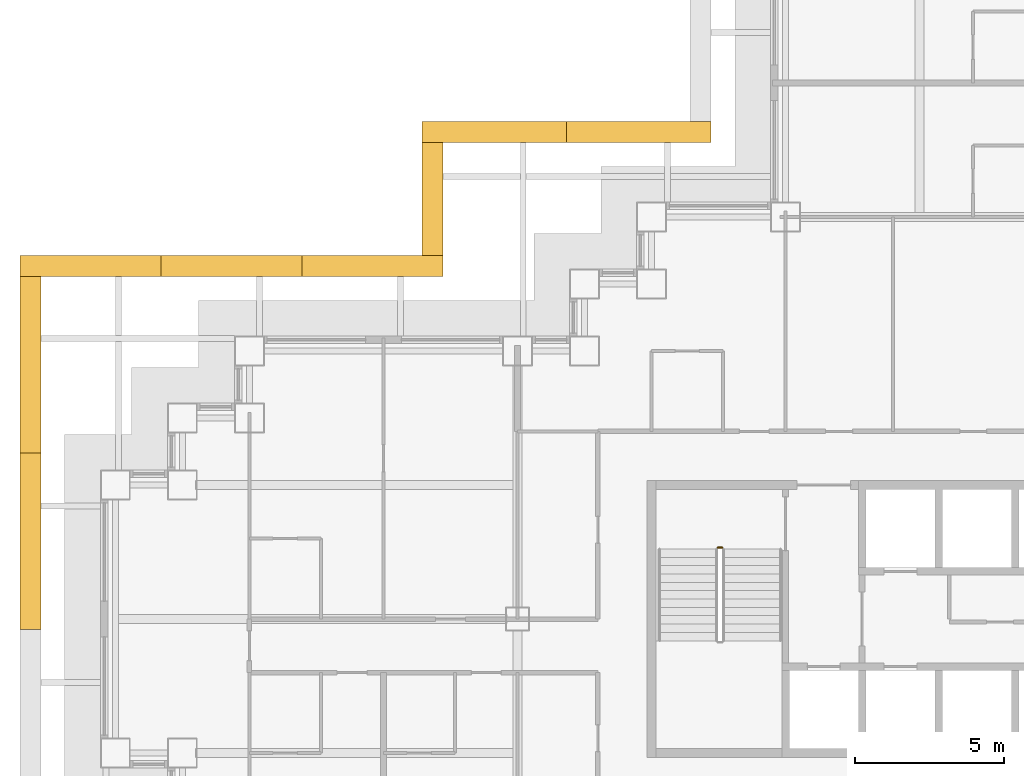
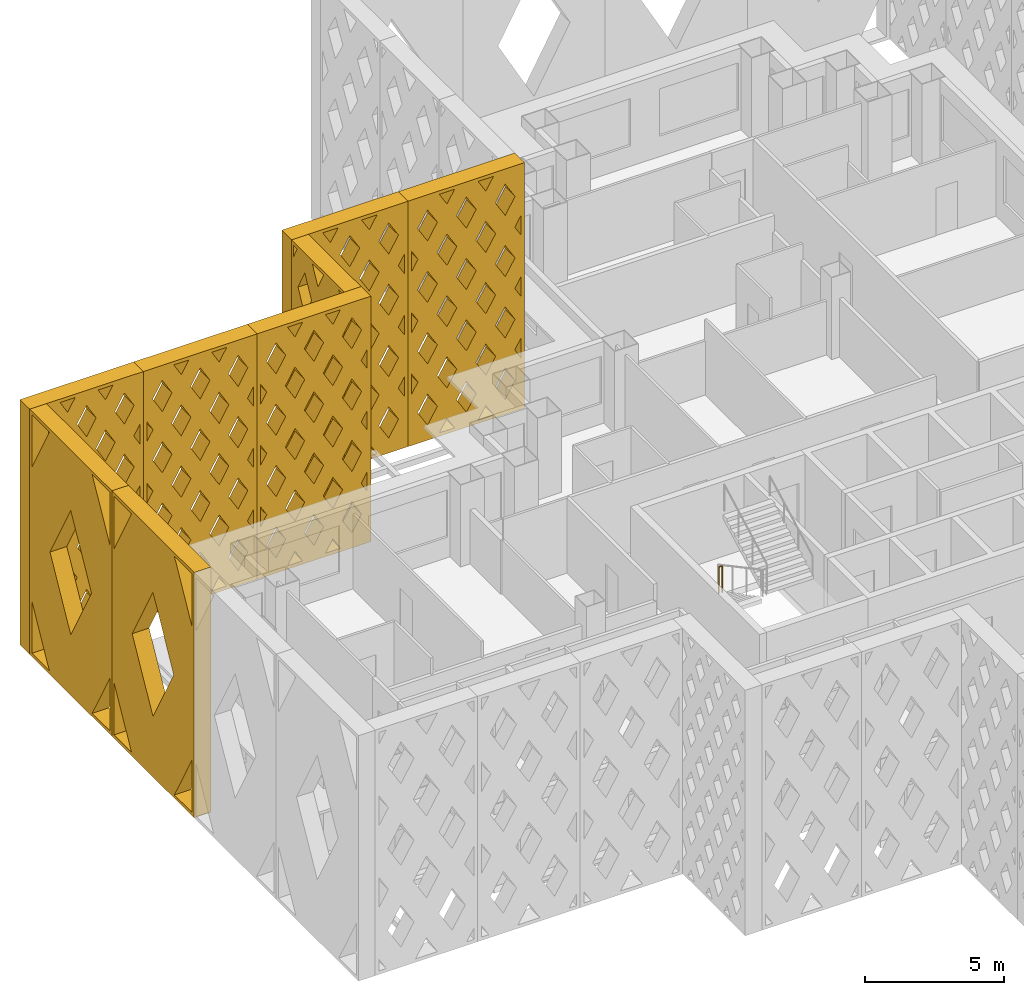
# One storey, part 17 of 19: 8 shading devices, 1 railing.
"""IFC4 building model written with IfcOpenShell, lengths in metres."""

from ifc_helpers import new_model, si_unit, direction, frame, origin, origin_2d, place, context, subcontext, project, spatial, polyline, circle, outline, extrude, material, type_object, element, save


model = new_model("IFC4")

# Units and contexts
model_context = context("Model", 3, precision=1e-05, world=origin(), true_north=direction((0.0, 1.0)))
body_context = subcontext(model_context, "Body", "Model", "MODEL_VIEW")
ifc_project = project(units=[si_unit("LENGTHUNIT", "METRE"), si_unit("AREAUNIT", "SQUARE_METRE"), si_unit("VOLUMEUNIT", "CUBIC_METRE"), si_unit("PLANEANGLEUNIT", "RADIAN"), si_unit("MASSUNIT", "GRAM", prefix="KILO")], contexts=[model_context])

# Site, building, storey
site_placement = place(None, origin())
site = spatial("IfcSite", under=ifc_project, at=site_placement, CompositionType="ELEMENT")
building_placement = place(site_placement, origin())
building = spatial("IfcBuilding", under=site, at=building_placement, Name="Caravel Reach Hotel and Residences", CompositionType="ELEMENT")
storey_placement = place(building_placement, frame((0.0, 0.0, 74.39990234375)))
storey = spatial("IfcBuildingStorey", under=building, at=storey_placement, Name="L17", CompositionType="ELEMENT", Elevation=74.39990234375)

# Shading devices
ifc_material_1 = material(Name="Black powder-coated aluminium", Category="aluminium")
shading_device_type_1 = type_object("IfcShadingDeviceType", Name="Diamond lattice screen panel 3800 x 10800", PredefinedType="USERDEFINED", material=ifc_material_1)
shading_device_1_placement = place(storey_placement, frame((11.0, 43.0, 0.0), z_axis=(-1.0, 0.0, 0.0), x_axis=(0.0, -1.0, 0.0)))
element("IfcShadingDevice", 1, at=shading_device_1_placement, inside=storey, type_object=shading_device_type_1, Name="Lattice screen L17-L19 15.1", ObjectType="SCREEN", PredefinedType="USERDEFINED", context=body_context, shape_type="SweptSolid", body=[
    extrude(outline(polyline([(0.0, 0.0), (3.800048828125, 0.0), (3.800048828125, 10.800048828125), (0.0, 10.800048828125), (0.0, 0.0)]), holes=[polyline([(0.41015625, 0.14990234375), (0.14990234375, 0.64306640625), (0.14990234375, 0.14990234375), (0.41015625, 0.14990234375)]), polyline([(0.489501953125, 3.60009765625), (0.14990234375, 4.2431640625), (0.14990234375, 2.956787109375), (0.489501953125, 3.60009765625)]), polyline([(0.489501953125, 7.199951171875), (0.14990234375, 7.843017578125), (0.14990234375, 6.556884765625), (0.489501953125, 7.199951171875)]), polyline([(0.14990234375, 10.156982421875), (0.41015625, 10.64990234375), (0.14990234375, 10.64990234375), (0.14990234375, 10.156982421875)]), polyline([(0.949951171875, 2.727294921875), (0.460693359375, 1.800048828125), (0.949951171875, 0.872802734375), (1.439453125, 1.800048828125), (0.949951171875, 2.727294921875)]), polyline([(0.949951171875, 6.327392578125), (0.460693359375, 5.39990234375), (0.949951171875, 4.47265625), (1.439453125, 5.39990234375), (0.949951171875, 6.327392578125)]), polyline([(0.949951171875, 9.92724609375), (0.460693359375, 9.0), (0.949951171875, 8.07275390625), (1.439453125, 9.0), (0.949951171875, 9.92724609375)]), polyline([(1.89990234375, 0.92724609375), (1.48974609375, 0.14990234375), (2.310302734375, 0.14990234375), (1.89990234375, 0.92724609375)]), polyline([(1.89990234375, 4.52734375), (1.41064453125, 3.60009765625), (1.89990234375, 2.672607421875), (2.389404296875, 3.60009765625), (1.89990234375, 4.52734375)]), polyline([(1.89990234375, 8.127197265625), (1.41064453125, 7.199951171875), (1.89990234375, 6.272705078125), (2.389404296875, 7.199951171875), (1.89990234375, 8.127197265625)]), polyline([(1.89990234375, 9.872802734375), (2.310302734375, 10.64990234375), (1.48974609375, 10.64990234375), (1.89990234375, 9.872802734375)]), polyline([(2.85009765625, 2.727294921875), (2.360595703125, 1.800048828125), (2.85009765625, 0.872802734375), (3.33935546875, 1.800048828125), (2.85009765625, 2.727294921875)]), polyline([(2.85009765625, 6.327392578125), (2.360595703125, 5.39990234375), (2.85009765625, 4.47265625), (3.33935546875, 5.39990234375), (2.85009765625, 6.327392578125)]), polyline([(2.85009765625, 9.92724609375), (2.360595703125, 9.0), (2.85009765625, 8.07275390625), (3.33935546875, 9.0), (2.85009765625, 9.92724609375)]), polyline([(3.64990234375, 0.64306640625), (3.3896484375, 0.14990234375), (3.64990234375, 0.14990234375), (3.64990234375, 0.64306640625)]), polyline([(3.310546875, 3.60009765625), (3.64990234375, 2.956787109375), (3.64990234375, 4.2431640625), (3.310546875, 3.60009765625)]), polyline([(3.310546875, 7.199951171875), (3.64990234375, 6.556884765625), (3.64990234375, 7.843017578125), (3.310546875, 7.199951171875)]), polyline([(3.3896484375, 10.64990234375), (3.64990234375, 10.156982421875), (3.64990234375, 10.64990234375), (3.3896484375, 10.64990234375)])]), origin(), (0.0, 0.0, 1.0), 0.699951171875),
])
ifc_material_2 = material(Name="Black powder-coated aluminium", Category="aluminium")
shading_device_type_2 = type_object("IfcShadingDeviceType", Name="Diamond lattice screen panel 4733 x 10800", PredefinedType="USERDEFINED", material=ifc_material_2)
shading_device_2_placement = place(storey_placement, frame((11.0, 38.5, 0.0), z_axis=(0.0, 1.0, 0.0), x_axis=(-1.0, 0.0, 0.0)))
element("IfcShadingDevice", 2, at=shading_device_2_placement, inside=storey, type_object=shading_device_type_2, Name="Lattice screen L17-L19 16.1", ObjectType="SCREEN", PredefinedType="USERDEFINED", context=body_context, shape_type="SweptSolid", body=[
    extrude(outline(polyline([(0.0, 0.0), (4.7333984375, 0.0), (4.7333984375, 10.800048828125), (0.0, 10.800048828125), (0.0, 0.0)]), holes=[polyline([(0.4013671875, 2.699951171875), (0.14990234375, 3.130126953125), (0.14990234375, 2.269775390625), (0.4013671875, 2.699951171875)]), polyline([(0.4013671875, 5.39990234375), (0.14990234375, 5.830078125), (0.14990234375, 4.969970703125), (0.4013671875, 5.39990234375)]), polyline([(0.4013671875, 8.10009765625), (0.14990234375, 8.530029296875), (0.14990234375, 7.669921875), (0.4013671875, 8.10009765625)]), polyline([(0.788818359375, 2.036865234375), (0.387451171875, 1.35009765625), (0.788818359375, 0.6630859375), (1.190185546875, 1.35009765625), (0.788818359375, 2.036865234375)]), polyline([(0.788818359375, 4.73681640625), (0.387451171875, 4.050048828125), (0.788818359375, 3.36328125), (1.190185546875, 4.050048828125), (0.788818359375, 4.73681640625)]), polyline([(0.788818359375, 7.436767578125), (0.387451171875, 6.75), (0.788818359375, 6.063232421875), (1.190185546875, 6.75), (0.788818359375, 7.436767578125)]), polyline([(0.788818359375, 10.13671875), (0.387451171875, 9.449951171875), (0.788818359375, 8.76318359375), (1.190185546875, 9.449951171875), (0.788818359375, 10.13671875)]), polyline([(1.577880859375, 0.686767578125), (1.26416015625, 0.14990234375), (1.8916015625, 0.14990234375), (1.577880859375, 0.686767578125)]), polyline([(1.577880859375, 3.38671875), (1.176513671875, 2.699951171875), (1.577880859375, 2.01318359375), (1.979248046875, 2.699951171875), (1.577880859375, 3.38671875)]), polyline([(1.577880859375, 6.0869140625), (1.176513671875, 5.39990234375), (1.577880859375, 4.713134765625), (1.979248046875, 5.39990234375), (1.577880859375, 6.0869140625)]), polyline([(1.577880859375, 8.786865234375), (1.176513671875, 8.10009765625), (1.577880859375, 7.4130859375), (1.979248046875, 8.10009765625), (1.577880859375, 8.786865234375)]), polyline([(1.577880859375, 10.11328125), (1.8916015625, 10.64990234375), (1.26416015625, 10.64990234375), (1.577880859375, 10.11328125)]), polyline([(2.36669921875, 2.036865234375), (1.96533203125, 1.35009765625), (2.36669921875, 0.6630859375), (2.76806640625, 1.35009765625), (2.36669921875, 2.036865234375)]), polyline([(2.36669921875, 4.73681640625), (1.96533203125, 4.050048828125), (2.36669921875, 3.36328125), (2.76806640625, 4.050048828125), (2.36669921875, 4.73681640625)]), polyline([(2.36669921875, 7.436767578125), (1.96533203125, 6.75), (2.36669921875, 6.063232421875), (2.76806640625, 6.75), (2.36669921875, 7.436767578125)]), polyline([(2.36669921875, 10.13671875), (1.96533203125, 9.449951171875), (2.36669921875, 8.76318359375), (2.76806640625, 9.449951171875), (2.36669921875, 10.13671875)]), polyline([(3.155517578125, 0.686767578125), (2.841796875, 0.14990234375), (3.46923828125, 0.14990234375), (3.155517578125, 0.686767578125)]), polyline([(3.155517578125, 3.38671875), (2.754150390625, 2.699951171875), (3.155517578125, 2.01318359375), (3.556884765625, 2.699951171875), (3.155517578125, 3.38671875)]), polyline([(3.155517578125, 6.0869140625), (2.754150390625, 5.39990234375), (3.155517578125, 4.713134765625), (3.556884765625, 5.39990234375), (3.155517578125, 6.0869140625)]), polyline([(3.155517578125, 8.786865234375), (2.754150390625, 8.10009765625), (3.155517578125, 7.4130859375), (3.556884765625, 8.10009765625), (3.155517578125, 8.786865234375)]), polyline([(3.155517578125, 10.11328125), (3.46923828125, 10.64990234375), (2.841796875, 10.64990234375), (3.155517578125, 10.11328125)]), polyline([(3.9443359375, 2.036865234375), (3.54296875, 1.35009765625), (3.9443359375, 0.6630859375), (4.345703125, 1.35009765625), (3.9443359375, 2.036865234375)]), polyline([(3.9443359375, 4.73681640625), (3.54296875, 4.050048828125), (3.9443359375, 3.36328125), (4.345703125, 4.050048828125), (3.9443359375, 4.73681640625)]), polyline([(3.9443359375, 7.436767578125), (3.54296875, 6.75), (3.9443359375, 6.063232421875), (4.345703125, 6.75), (3.9443359375, 7.436767578125)]), polyline([(3.9443359375, 10.13671875), (3.54296875, 9.449951171875), (3.9443359375, 8.76318359375), (4.345703125, 9.449951171875), (3.9443359375, 10.13671875)]), polyline([(4.33203125, 2.699951171875), (4.583251953125, 2.269775390625), (4.583251953125, 3.130126953125), (4.33203125, 2.699951171875)]), polyline([(4.33203125, 5.39990234375), (4.583251953125, 4.969970703125), (4.583251953125, 5.830078125), (4.33203125, 5.39990234375)]), polyline([(4.33203125, 8.10009765625), (4.583251953125, 7.669921875), (4.583251953125, 8.530029296875), (4.33203125, 8.10009765625)])]), origin(), (0.0, 0.0, 1.0), 0.699951171875),
])
shading_device_3_placement = place(storey_placement, frame((6.2666015625, 38.5, 0.0), z_axis=(0.0, 1.0, 0.0), x_axis=(-1.0, 0.0, 0.0)))
element("IfcShadingDevice", 3, at=shading_device_3_placement, inside=storey, type_object=shading_device_type_2, Name="Lattice screen L17-L19 16.2", ObjectType="SCREEN", PredefinedType="USERDEFINED", context=body_context, shape_type="SweptSolid", body=[
    extrude(outline(polyline([(0.0, 0.0), (4.7333984375, 0.0), (4.7333984375, 10.800048828125), (0.0, 10.800048828125), (0.0, 0.0)]), holes=[polyline([(0.4013671875, 2.699951171875), (0.14990234375, 3.130126953125), (0.14990234375, 2.269775390625), (0.4013671875, 2.699951171875)]), polyline([(0.4013671875, 5.39990234375), (0.14990234375, 5.830078125), (0.14990234375, 4.969970703125), (0.4013671875, 5.39990234375)]), polyline([(0.4013671875, 8.10009765625), (0.14990234375, 8.530029296875), (0.14990234375, 7.669921875), (0.4013671875, 8.10009765625)]), polyline([(0.788818359375, 2.036865234375), (0.387451171875, 1.35009765625), (0.788818359375, 0.6630859375), (1.190185546875, 1.35009765625), (0.788818359375, 2.036865234375)]), polyline([(0.788818359375, 4.73681640625), (0.387451171875, 4.050048828125), (0.788818359375, 3.36328125), (1.190185546875, 4.050048828125), (0.788818359375, 4.73681640625)]), polyline([(0.788818359375, 7.436767578125), (0.387451171875, 6.75), (0.788818359375, 6.063232421875), (1.190185546875, 6.75), (0.788818359375, 7.436767578125)]), polyline([(0.788818359375, 10.13671875), (0.387451171875, 9.449951171875), (0.788818359375, 8.76318359375), (1.190185546875, 9.449951171875), (0.788818359375, 10.13671875)]), polyline([(1.577880859375, 0.686767578125), (1.26416015625, 0.14990234375), (1.8916015625, 0.14990234375), (1.577880859375, 0.686767578125)]), polyline([(1.577880859375, 3.38671875), (1.176513671875, 2.699951171875), (1.577880859375, 2.01318359375), (1.979248046875, 2.699951171875), (1.577880859375, 3.38671875)]), polyline([(1.577880859375, 6.0869140625), (1.176513671875, 5.39990234375), (1.577880859375, 4.713134765625), (1.979248046875, 5.39990234375), (1.577880859375, 6.0869140625)]), polyline([(1.577880859375, 8.786865234375), (1.176513671875, 8.10009765625), (1.577880859375, 7.4130859375), (1.979248046875, 8.10009765625), (1.577880859375, 8.786865234375)]), polyline([(1.577880859375, 10.11328125), (1.8916015625, 10.64990234375), (1.26416015625, 10.64990234375), (1.577880859375, 10.11328125)]), polyline([(2.36669921875, 2.036865234375), (1.96533203125, 1.35009765625), (2.36669921875, 0.6630859375), (2.76806640625, 1.35009765625), (2.36669921875, 2.036865234375)]), polyline([(2.36669921875, 4.73681640625), (1.96533203125, 4.050048828125), (2.36669921875, 3.36328125), (2.76806640625, 4.050048828125), (2.36669921875, 4.73681640625)]), polyline([(2.36669921875, 7.436767578125), (1.96533203125, 6.75), (2.36669921875, 6.063232421875), (2.76806640625, 6.75), (2.36669921875, 7.436767578125)]), polyline([(2.36669921875, 10.13671875), (1.96533203125, 9.449951171875), (2.36669921875, 8.76318359375), (2.76806640625, 9.449951171875), (2.36669921875, 10.13671875)]), polyline([(3.155517578125, 0.686767578125), (2.841796875, 0.14990234375), (3.46923828125, 0.14990234375), (3.155517578125, 0.686767578125)]), polyline([(3.155517578125, 3.38671875), (2.754150390625, 2.699951171875), (3.155517578125, 2.01318359375), (3.556884765625, 2.699951171875), (3.155517578125, 3.38671875)]), polyline([(3.155517578125, 6.0869140625), (2.754150390625, 5.39990234375), (3.155517578125, 4.713134765625), (3.556884765625, 5.39990234375), (3.155517578125, 6.0869140625)]), polyline([(3.155517578125, 8.786865234375), (2.754150390625, 8.10009765625), (3.155517578125, 7.4130859375), (3.556884765625, 8.10009765625), (3.155517578125, 8.786865234375)]), polyline([(3.155517578125, 10.11328125), (3.46923828125, 10.64990234375), (2.841796875, 10.64990234375), (3.155517578125, 10.11328125)]), polyline([(3.9443359375, 2.036865234375), (3.54296875, 1.35009765625), (3.9443359375, 0.6630859375), (4.345703125, 1.35009765625), (3.9443359375, 2.036865234375)]), polyline([(3.9443359375, 4.73681640625), (3.54296875, 4.050048828125), (3.9443359375, 3.36328125), (4.345703125, 4.050048828125), (3.9443359375, 4.73681640625)]), polyline([(3.9443359375, 7.436767578125), (3.54296875, 6.75), (3.9443359375, 6.063232421875), (4.345703125, 6.75), (3.9443359375, 7.436767578125)]), polyline([(3.9443359375, 10.13671875), (3.54296875, 9.449951171875), (3.9443359375, 8.76318359375), (4.345703125, 9.449951171875), (3.9443359375, 10.13671875)]), polyline([(4.33203125, 2.699951171875), (4.583251953125, 2.269775390625), (4.583251953125, 3.130126953125), (4.33203125, 2.699951171875)]), polyline([(4.33203125, 5.39990234375), (4.583251953125, 4.969970703125), (4.583251953125, 5.830078125), (4.33203125, 5.39990234375)]), polyline([(4.33203125, 8.10009765625), (4.583251953125, 7.669921875), (4.583251953125, 8.530029296875), (4.33203125, 8.10009765625)])]), origin(), (0.0, 0.0, 1.0), 0.699951171875),
])
shading_device_4_placement = place(storey_placement, frame((1.533447265625, 38.5, 0.0), z_axis=(0.0, 1.0, 0.0), x_axis=(-1.0, 0.0, 0.0)))
element("IfcShadingDevice", 4, at=shading_device_4_placement, inside=storey, type_object=shading_device_type_2, Name="Lattice screen L17-L19 16.3", ObjectType="SCREEN", PredefinedType="USERDEFINED", context=body_context, shape_type="SweptSolid", body=[
    extrude(outline(polyline([(0.0, 0.0), (4.7333984375, 0.0), (4.7333984375, 10.800048828125), (0.0, 10.800048828125), (0.0, 0.0)]), holes=[polyline([(0.4013671875, 2.699951171875), (0.14990234375, 3.130126953125), (0.14990234375, 2.269775390625), (0.4013671875, 2.699951171875)]), polyline([(0.4013671875, 5.39990234375), (0.14990234375, 5.830078125), (0.14990234375, 4.969970703125), (0.4013671875, 5.39990234375)]), polyline([(0.4013671875, 8.10009765625), (0.14990234375, 8.530029296875), (0.14990234375, 7.669921875), (0.4013671875, 8.10009765625)]), polyline([(0.788818359375, 2.036865234375), (0.387451171875, 1.35009765625), (0.788818359375, 0.6630859375), (1.190185546875, 1.35009765625), (0.788818359375, 2.036865234375)]), polyline([(0.788818359375, 4.73681640625), (0.387451171875, 4.050048828125), (0.788818359375, 3.36328125), (1.190185546875, 4.050048828125), (0.788818359375, 4.73681640625)]), polyline([(0.788818359375, 7.436767578125), (0.387451171875, 6.75), (0.788818359375, 6.063232421875), (1.190185546875, 6.75), (0.788818359375, 7.436767578125)]), polyline([(0.788818359375, 10.13671875), (0.387451171875, 9.449951171875), (0.788818359375, 8.76318359375), (1.190185546875, 9.449951171875), (0.788818359375, 10.13671875)]), polyline([(1.577880859375, 0.686767578125), (1.26416015625, 0.14990234375), (1.8916015625, 0.14990234375), (1.577880859375, 0.686767578125)]), polyline([(1.577880859375, 3.38671875), (1.176513671875, 2.699951171875), (1.577880859375, 2.01318359375), (1.979248046875, 2.699951171875), (1.577880859375, 3.38671875)]), polyline([(1.577880859375, 6.0869140625), (1.176513671875, 5.39990234375), (1.577880859375, 4.713134765625), (1.979248046875, 5.39990234375), (1.577880859375, 6.0869140625)]), polyline([(1.577880859375, 8.786865234375), (1.176513671875, 8.10009765625), (1.577880859375, 7.4130859375), (1.979248046875, 8.10009765625), (1.577880859375, 8.786865234375)]), polyline([(1.577880859375, 10.11328125), (1.8916015625, 10.64990234375), (1.26416015625, 10.64990234375), (1.577880859375, 10.11328125)]), polyline([(2.36669921875, 2.036865234375), (1.96533203125, 1.35009765625), (2.36669921875, 0.6630859375), (2.76806640625, 1.35009765625), (2.36669921875, 2.036865234375)]), polyline([(2.36669921875, 4.73681640625), (1.96533203125, 4.050048828125), (2.36669921875, 3.36328125), (2.76806640625, 4.050048828125), (2.36669921875, 4.73681640625)]), polyline([(2.36669921875, 7.436767578125), (1.96533203125, 6.75), (2.36669921875, 6.063232421875), (2.76806640625, 6.75), (2.36669921875, 7.436767578125)]), polyline([(2.36669921875, 10.13671875), (1.96533203125, 9.449951171875), (2.36669921875, 8.76318359375), (2.76806640625, 9.449951171875), (2.36669921875, 10.13671875)]), polyline([(3.155517578125, 0.686767578125), (2.841796875, 0.14990234375), (3.46923828125, 0.14990234375), (3.155517578125, 0.686767578125)]), polyline([(3.155517578125, 3.38671875), (2.754150390625, 2.699951171875), (3.155517578125, 2.01318359375), (3.556884765625, 2.699951171875), (3.155517578125, 3.38671875)]), polyline([(3.155517578125, 6.0869140625), (2.754150390625, 5.39990234375), (3.155517578125, 4.713134765625), (3.556884765625, 5.39990234375), (3.155517578125, 6.0869140625)]), polyline([(3.155517578125, 8.786865234375), (2.754150390625, 8.10009765625), (3.155517578125, 7.4130859375), (3.556884765625, 8.10009765625), (3.155517578125, 8.786865234375)]), polyline([(3.155517578125, 10.11328125), (3.46923828125, 10.64990234375), (2.841796875, 10.64990234375), (3.155517578125, 10.11328125)]), polyline([(3.9443359375, 2.036865234375), (3.54296875, 1.35009765625), (3.9443359375, 0.6630859375), (4.345703125, 1.35009765625), (3.9443359375, 2.036865234375)]), polyline([(3.9443359375, 4.73681640625), (3.54296875, 4.050048828125), (3.9443359375, 3.36328125), (4.345703125, 4.050048828125), (3.9443359375, 4.73681640625)]), polyline([(3.9443359375, 7.436767578125), (3.54296875, 6.75), (3.9443359375, 6.063232421875), (4.345703125, 6.75), (3.9443359375, 7.436767578125)]), polyline([(3.9443359375, 10.13671875), (3.54296875, 9.449951171875), (3.9443359375, 8.76318359375), (4.345703125, 9.449951171875), (3.9443359375, 10.13671875)]), polyline([(4.33203125, 2.699951171875), (4.583251953125, 2.269775390625), (4.583251953125, 3.130126953125), (4.33203125, 2.699951171875)]), polyline([(4.33203125, 5.39990234375), (4.583251953125, 4.969970703125), (4.583251953125, 5.830078125), (4.33203125, 5.39990234375)]), polyline([(4.33203125, 8.10009765625), (4.583251953125, 7.669921875), (4.583251953125, 8.530029296875), (4.33203125, 8.10009765625)])]), origin(), (0.0, 0.0, 1.0), 0.699951171875),
])
ifc_material_3 = material(Name="Black powder-coated aluminium", Category="aluminium")
shading_device_type_3 = type_object("IfcShadingDeviceType", Name="Diamond lattice screen panel 4850 x 10800", PredefinedType="USERDEFINED", material=ifc_material_3)
shading_device_5_placement = place(storey_placement, frame((20.0, 43.0, 0.0), z_axis=(0.0, 1.0, 0.0), x_axis=(-1.0, 0.0, 0.0)))
element("IfcShadingDevice", 5, at=shading_device_5_placement, inside=storey, type_object=shading_device_type_3, Name="Lattice screen L17-L19 14.1", ObjectType="SCREEN", PredefinedType="USERDEFINED", context=body_context, shape_type="SweptSolid", body=[
    extrude(outline(polyline([(0.0, 0.0), (4.85009765625, 0.0), (4.85009765625, 10.800048828125), (0.0, 10.800048828125), (0.0, 0.0)]), holes=[polyline([(0.410888671875, 2.699951171875), (0.14990234375, 3.1357421875), (0.14990234375, 2.26416015625), (0.410888671875, 2.699951171875)]), polyline([(0.410888671875, 5.39990234375), (0.14990234375, 5.835693359375), (0.14990234375, 4.964111328125), (0.410888671875, 5.39990234375)]), polyline([(0.410888671875, 8.10009765625), (0.14990234375, 8.535888671875), (0.14990234375, 7.664306640625), (0.410888671875, 8.10009765625)]), polyline([(0.808349609375, 2.036376953125), (0.3974609375, 1.35009765625), (0.808349609375, 0.663818359375), (1.21923828125, 1.35009765625), (0.808349609375, 2.036376953125)]), polyline([(0.808349609375, 4.736328125), (0.3974609375, 4.050048828125), (0.808349609375, 3.36376953125), (1.21923828125, 4.050048828125), (0.808349609375, 4.736328125)]), polyline([(0.808349609375, 7.436279296875), (0.3974609375, 6.75), (0.808349609375, 6.063720703125), (1.21923828125, 6.75), (0.808349609375, 7.436279296875)]), polyline([(0.808349609375, 10.13623046875), (0.3974609375, 9.449951171875), (0.808349609375, 8.763671875), (1.21923828125, 9.449951171875), (0.808349609375, 10.13623046875)]), polyline([(1.61669921875, 0.686279296875), (1.295654296875, 0.14990234375), (1.937744140625, 0.14990234375), (1.61669921875, 0.686279296875)]), polyline([(1.61669921875, 3.38623046875), (1.205810546875, 2.699951171875), (1.61669921875, 2.013671875), (2.027587890625, 2.699951171875), (1.61669921875, 3.38623046875)]), polyline([(1.61669921875, 6.086181640625), (1.205810546875, 5.39990234375), (1.61669921875, 4.713623046875), (2.027587890625, 5.39990234375), (1.61669921875, 6.086181640625)]), polyline([(1.61669921875, 8.786376953125), (1.205810546875, 8.10009765625), (1.61669921875, 7.413818359375), (2.027587890625, 8.10009765625), (1.61669921875, 8.786376953125)]), polyline([(1.61669921875, 10.11376953125), (1.937744140625, 10.64990234375), (1.295654296875, 10.64990234375), (1.61669921875, 10.11376953125)]), polyline([(2.425048828125, 2.036376953125), (2.01416015625, 1.35009765625), (2.425048828125, 0.663818359375), (2.8359375, 1.35009765625), (2.425048828125, 2.036376953125)]), polyline([(2.425048828125, 4.736328125), (2.01416015625, 4.050048828125), (2.425048828125, 3.36376953125), (2.8359375, 4.050048828125), (2.425048828125, 4.736328125)]), polyline([(2.425048828125, 7.436279296875), (2.01416015625, 6.75), (2.425048828125, 6.063720703125), (2.8359375, 6.75), (2.425048828125, 7.436279296875)]), polyline([(2.425048828125, 10.13623046875), (2.01416015625, 9.449951171875), (2.425048828125, 8.763671875), (2.8359375, 9.449951171875), (2.425048828125, 10.13623046875)]), polyline([(3.2333984375, 0.686279296875), (2.912109375, 0.14990234375), (3.554443359375, 0.14990234375), (3.2333984375, 0.686279296875)]), polyline([(3.2333984375, 3.38623046875), (2.822509765625, 2.699951171875), (3.2333984375, 2.013671875), (3.644287109375, 2.699951171875), (3.2333984375, 3.38623046875)]), polyline([(3.2333984375, 6.086181640625), (2.822509765625, 5.39990234375), (3.2333984375, 4.713623046875), (3.644287109375, 5.39990234375), (3.2333984375, 6.086181640625)]), polyline([(3.2333984375, 8.786376953125), (2.822509765625, 8.10009765625), (3.2333984375, 7.413818359375), (3.644287109375, 8.10009765625), (3.2333984375, 8.786376953125)]), polyline([(3.2333984375, 10.11376953125), (3.554443359375, 10.64990234375), (2.912109375, 10.64990234375), (3.2333984375, 10.11376953125)]), polyline([(4.041748046875, 2.036376953125), (3.630859375, 1.35009765625), (4.041748046875, 0.663818359375), (4.45263671875, 1.35009765625), (4.041748046875, 2.036376953125)]), polyline([(4.041748046875, 4.736328125), (3.630859375, 4.050048828125), (4.041748046875, 3.36376953125), (4.45263671875, 4.050048828125), (4.041748046875, 4.736328125)]), polyline([(4.041748046875, 7.436279296875), (3.630859375, 6.75), (4.041748046875, 6.063720703125), (4.45263671875, 6.75), (4.041748046875, 7.436279296875)]), polyline([(4.041748046875, 10.13623046875), (3.630859375, 9.449951171875), (4.041748046875, 8.763671875), (4.45263671875, 9.449951171875), (4.041748046875, 10.13623046875)]), polyline([(4.43896484375, 2.699951171875), (4.699951171875, 2.26416015625), (4.699951171875, 3.1357421875), (4.43896484375, 2.699951171875)]), polyline([(4.43896484375, 5.39990234375), (4.699951171875, 4.964111328125), (4.699951171875, 5.835693359375), (4.43896484375, 5.39990234375)]), polyline([(4.43896484375, 8.10009765625), (4.699951171875, 7.664306640625), (4.699951171875, 8.535888671875), (4.43896484375, 8.10009765625)])]), origin(), (0.0, 0.0, 1.0), 0.699951171875),
])
shading_device_6_placement = place(storey_placement, frame((15.14990234375, 43.0, 0.0), z_axis=(0.0, 1.0, 0.0), x_axis=(-1.0, 0.0, 0.0)))
element("IfcShadingDevice", 6, at=shading_device_6_placement, inside=storey, type_object=shading_device_type_3, Name="Lattice screen L17-L19 14.2", ObjectType="SCREEN", PredefinedType="USERDEFINED", context=body_context, shape_type="SweptSolid", body=[
    extrude(outline(polyline([(0.0, 0.0), (4.85009765625, 0.0), (4.85009765625, 10.800048828125), (0.0, 10.800048828125), (0.0, 0.0)]), holes=[polyline([(0.410888671875, 2.699951171875), (0.14990234375, 3.1357421875), (0.14990234375, 2.26416015625), (0.410888671875, 2.699951171875)]), polyline([(0.410888671875, 5.39990234375), (0.14990234375, 5.835693359375), (0.14990234375, 4.964111328125), (0.410888671875, 5.39990234375)]), polyline([(0.410888671875, 8.10009765625), (0.14990234375, 8.535888671875), (0.14990234375, 7.664306640625), (0.410888671875, 8.10009765625)]), polyline([(0.808349609375, 2.036376953125), (0.3974609375, 1.35009765625), (0.808349609375, 0.663818359375), (1.21923828125, 1.35009765625), (0.808349609375, 2.036376953125)]), polyline([(0.808349609375, 4.736328125), (0.3974609375, 4.050048828125), (0.808349609375, 3.36376953125), (1.21923828125, 4.050048828125), (0.808349609375, 4.736328125)]), polyline([(0.808349609375, 7.436279296875), (0.3974609375, 6.75), (0.808349609375, 6.063720703125), (1.21923828125, 6.75), (0.808349609375, 7.436279296875)]), polyline([(0.808349609375, 10.13623046875), (0.3974609375, 9.449951171875), (0.808349609375, 8.763671875), (1.21923828125, 9.449951171875), (0.808349609375, 10.13623046875)]), polyline([(1.61669921875, 0.686279296875), (1.295654296875, 0.14990234375), (1.937744140625, 0.14990234375), (1.61669921875, 0.686279296875)]), polyline([(1.61669921875, 3.38623046875), (1.205810546875, 2.699951171875), (1.61669921875, 2.013671875), (2.027587890625, 2.699951171875), (1.61669921875, 3.38623046875)]), polyline([(1.61669921875, 6.086181640625), (1.205810546875, 5.39990234375), (1.61669921875, 4.713623046875), (2.027587890625, 5.39990234375), (1.61669921875, 6.086181640625)]), polyline([(1.61669921875, 8.786376953125), (1.205810546875, 8.10009765625), (1.61669921875, 7.413818359375), (2.027587890625, 8.10009765625), (1.61669921875, 8.786376953125)]), polyline([(1.61669921875, 10.11376953125), (1.937744140625, 10.64990234375), (1.295654296875, 10.64990234375), (1.61669921875, 10.11376953125)]), polyline([(2.425048828125, 2.036376953125), (2.01416015625, 1.35009765625), (2.425048828125, 0.663818359375), (2.8359375, 1.35009765625), (2.425048828125, 2.036376953125)]), polyline([(2.425048828125, 4.736328125), (2.01416015625, 4.050048828125), (2.425048828125, 3.36376953125), (2.8359375, 4.050048828125), (2.425048828125, 4.736328125)]), polyline([(2.425048828125, 7.436279296875), (2.01416015625, 6.75), (2.425048828125, 6.063720703125), (2.8359375, 6.75), (2.425048828125, 7.436279296875)]), polyline([(2.425048828125, 10.13623046875), (2.01416015625, 9.449951171875), (2.425048828125, 8.763671875), (2.8359375, 9.449951171875), (2.425048828125, 10.13623046875)]), polyline([(3.2333984375, 0.686279296875), (2.912109375, 0.14990234375), (3.554443359375, 0.14990234375), (3.2333984375, 0.686279296875)]), polyline([(3.2333984375, 3.38623046875), (2.822509765625, 2.699951171875), (3.2333984375, 2.013671875), (3.644287109375, 2.699951171875), (3.2333984375, 3.38623046875)]), polyline([(3.2333984375, 6.086181640625), (2.822509765625, 5.39990234375), (3.2333984375, 4.713623046875), (3.644287109375, 5.39990234375), (3.2333984375, 6.086181640625)]), polyline([(3.2333984375, 8.786376953125), (2.822509765625, 8.10009765625), (3.2333984375, 7.413818359375), (3.644287109375, 8.10009765625), (3.2333984375, 8.786376953125)]), polyline([(3.2333984375, 10.11376953125), (3.554443359375, 10.64990234375), (2.912109375, 10.64990234375), (3.2333984375, 10.11376953125)]), polyline([(4.041748046875, 2.036376953125), (3.630859375, 1.35009765625), (4.041748046875, 0.663818359375), (4.45263671875, 1.35009765625), (4.041748046875, 2.036376953125)]), polyline([(4.041748046875, 4.736328125), (3.630859375, 4.050048828125), (4.041748046875, 3.36376953125), (4.45263671875, 4.050048828125), (4.041748046875, 4.736328125)]), polyline([(4.041748046875, 7.436279296875), (3.630859375, 6.75), (4.041748046875, 6.063720703125), (4.45263671875, 6.75), (4.041748046875, 7.436279296875)]), polyline([(4.041748046875, 10.13623046875), (3.630859375, 9.449951171875), (4.041748046875, 8.763671875), (4.45263671875, 9.449951171875), (4.041748046875, 10.13623046875)]), polyline([(4.43896484375, 2.699951171875), (4.699951171875, 2.26416015625), (4.699951171875, 3.1357421875), (4.43896484375, 2.699951171875)]), polyline([(4.43896484375, 5.39990234375), (4.699951171875, 4.964111328125), (4.699951171875, 5.835693359375), (4.43896484375, 5.39990234375)]), polyline([(4.43896484375, 8.10009765625), (4.699951171875, 7.664306640625), (4.699951171875, 8.535888671875), (4.43896484375, 8.10009765625)])]), origin(), (0.0, 0.0, 1.0), 0.699951171875),
])
ifc_material_4 = material(Name="Black powder-coated aluminium", Category="aluminium")
shading_device_type_4 = type_object("IfcShadingDeviceType", Name="Diamond lattice screen panel 5925 x 10800", PredefinedType="USERDEFINED", material=ifc_material_4)
for number, where, z_axis, x_axis, name in (
    (7, (-2.5, 38.5, 0.0), (-1.0, 0.0, 0.0), (0.0, -1.0, 0.0), "Lattice screen L17-L19 17.1"),
    (8, (-2.5, 32.574951171875, 0.0), (-1.0, 0.0, 0.0), (0.0, -1.0, 0.0), "Lattice screen L17-L19 17.2"),
):
    element("IfcShadingDevice", number, at=place(storey_placement, frame(where, z_axis=z_axis, x_axis=x_axis)), inside=storey, type_object=shading_device_type_4, Name=name, ObjectType="SCREEN", PredefinedType="USERDEFINED", context=body_context, shape_type="SweptSolid", body=[
        extrude(outline(polyline([(0.0, 0.0), (5.925048828125, 0.0), (5.925048828125, 10.800048828125), (0.0, 10.800048828125), (0.0, 0.0)]), holes=[polyline([(1.41845703125, 0.14990234375), (0.14990234375, 2.462158203125), (0.14990234375, 0.14990234375), (1.41845703125, 0.14990234375)]), polyline([(0.14990234375, 8.337646484375), (1.41845703125, 10.64990234375), (0.14990234375, 10.64990234375), (0.14990234375, 8.337646484375)]), polyline([(2.96240234375, 8.1357421875), (1.461669921875, 5.39990234375), (2.96240234375, 2.664306640625), (4.46337890625, 5.39990234375), (2.96240234375, 8.1357421875)]), polyline([(5.77490234375, 2.462158203125), (4.506591796875, 0.14990234375), (5.77490234375, 0.14990234375), (5.77490234375, 2.462158203125)]), polyline([(4.506591796875, 10.64990234375), (5.77490234375, 8.337646484375), (5.77490234375, 10.64990234375), (4.506591796875, 10.64990234375)])]), origin(), (0.0, 0.0, 1.0), 0.699951171875),
    ])

# Railing
ifc_material_5 = material(Name="Steel balustrade with glass infill", Category="steel")
railing_type = type_object("IfcRailingType", Name="Guard 1200", PredefinedType="GUARDRAIL", material=ifc_material_5)
railing_placement = place(storey_placement, frame((20.22509765625, 29.39990234375, 0.0)))
element("IfcRailing", 9, at=railing_placement, inside=storey, type_object=railing_type, Name="L17 ST-A stair guard 4", PredefinedType="GUARDRAIL", context=body_context, shape_type="SweptSolid", body=[
    extrude(circle(Radius=0.02392578125, at=origin_2d()), frame((0.0, 0.0, 1.17578125), z_axis=(1.0, 0.0, 0.0), x_axis=(0.0, 1.0, 0.0)), (0.0, 0.0, 1.0), 0.14990234375),
    extrude(circle(Radius=0.02099609375, at=origin_2d()), origin(), (0.0, 0.0, 1.0), 1.15185546875),
    extrude(circle(Radius=0.02099609375, at=origin_2d()), frame((0.14990234375, 0.0, 0.0)), (0.0, 0.0, 1.0), 1.15185546875),
])

save(model, "model.ifc")
